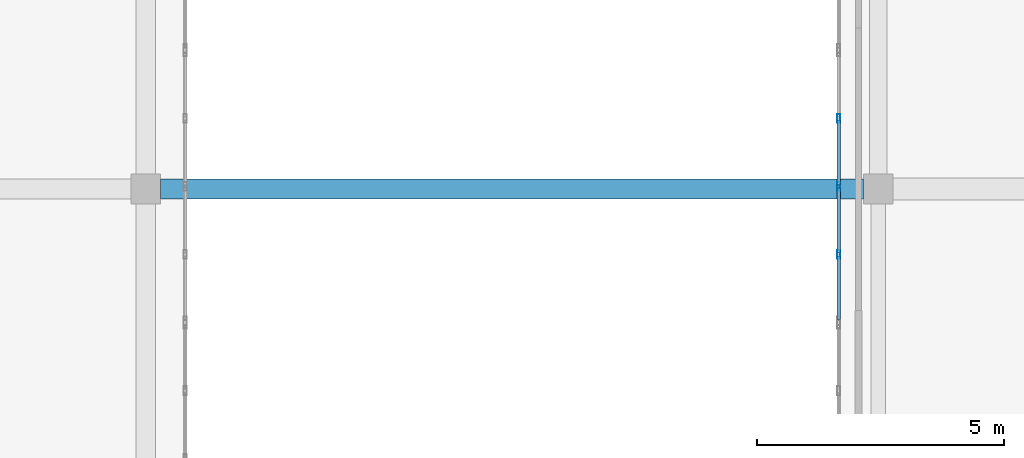
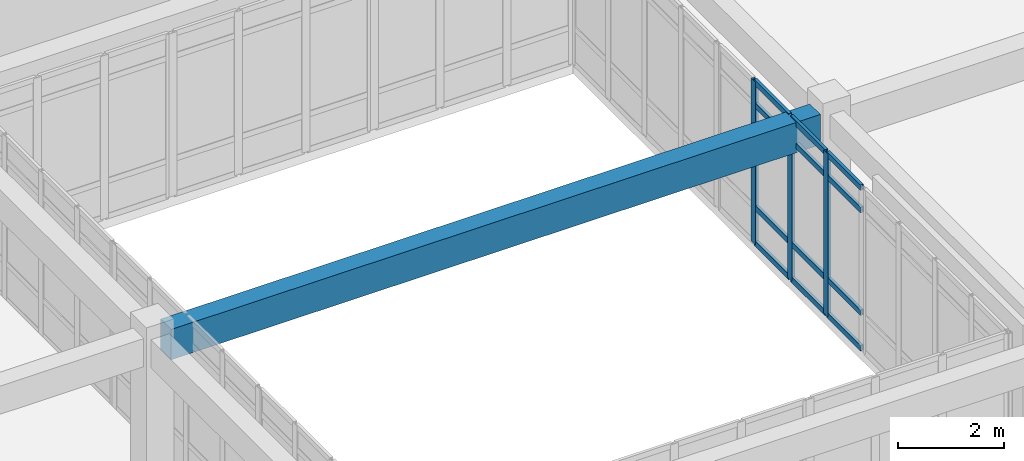
# One storey, part 50 of 91: 15 members, 1 beam, 1 element without a shape of its own.
"""IFC4 building model written with IfcOpenShell, lengths in metres."""

import ifcopenshell
import ifcopenshell.guid

model = None  # the IFC model being written
_history = None  # IfcOwnerHistory: only IFC2X3 demands one
_inside = {}  # id of a spatial element -> (the spatial element, [elements in it])
_under = {}  # id of a project, library or spatial element -> (it, [spatial elements below it])
_declared = {}  # id of a project -> (the project, [libraries it declares])
_typed = {}  # id of a type object -> (the type object, [elements of that type])
_made_of = {}  # id of a material, layer set ... -> (it, [elements and type objects made of it])


def new_model(schema):
    """Start an empty IFC model of exactly this schema.

    Asked for "IFC4X3", IfcOpenShell would pick the latest addendum, in which some entities
    have other attributes; the version numbers below select the first issue.
    IFC2X3 requires an IfcOwnerHistory on every rooted entity: one is made here for all.
    """
    global model, _history
    if schema == "IFC4X3":
        model = ifcopenshell.file(schema_version=(4, 3, 0, 0))
    else:
        model = ifcopenshell.file(schema=schema)
    _inside.clear()
    _under.clear()
    _declared.clear()
    _typed.clear()
    _made_of.clear()
    _history = None
    if model.schema == "IFC2X3":
        org = make("IfcOrganization", Name="unknown")
        user = make(
            "IfcPersonAndOrganization",
            ThePerson=make("IfcPerson", FamilyName="unknown"),
            TheOrganization=org,
        )
        app = make(
            "IfcApplication",
            ApplicationDeveloper=org,
            Version="unknown",
            ApplicationFullName="unknown",
            ApplicationIdentifier="unknown",
        )
        _history = make(
            "IfcOwnerHistory",
            OwningUser=user,
            OwningApplication=app,
            ChangeAction="ADDED",
            CreationDate=0,
        )
    return model


def make(cls, **values):
    """One entity of the class cls with the attributes given. An attribute that is None is left unset."""
    return model.create_entity(
        cls, **{name: value for name, value in values.items() if value is not None}
    )


def rooted(cls, **values):
    """An entity with a GlobalId (a new one), such as an element, a storey or a relation."""
    return make(cls, GlobalId=ifcopenshell.guid.new(), OwnerHistory=_history, **values)


def si_unit(unit_type, name, prefix=None):
    """IfcSIUnit, for example si_unit("LENGTHUNIT", "METRE", prefix="MILLI")."""
    return make("IfcSIUnit", UnitType=unit_type, Prefix=prefix, Name=name)


def assignment(units):
    """IfcUnitAssignment: the units of a project."""
    return None if units is None else make("IfcUnitAssignment", Units=units)


def point(xyz):
    """IfcCartesianPoint."""
    return None if xyz is None else make("IfcCartesianPoint", Coordinates=xyz)


def direction(xyz):
    """IfcDirection."""
    return None if xyz is None else make("IfcDirection", DirectionRatios=xyz)


def frame(location, z_axis=None, x_axis=None):
    """IfcAxis2Placement3D, a coordinate frame: its origin and axes. An axis left out is left unset."""
    return make(
        "IfcAxis2Placement3D",
        Location=point(location),
        Axis=direction(z_axis),
        RefDirection=direction(x_axis),
    )


def frame_2d(location, x_axis=None):
    """IfcAxis2Placement2D, a coordinate frame in the plane: its origin and x axis."""
    return make(
        "IfcAxis2Placement2D", Location=point(location), RefDirection=direction(x_axis)
    )


def origin():
    """The frame at (0, 0, 0) with its axes left unset."""
    return frame((0.0, 0.0, 0.0))


def origin_2d():
    """The frame at (0, 0) in the plane with its x axis left unset."""
    return frame_2d((0.0, 0.0))


def place(relative_to, where):
    """IfcLocalPlacement: puts the frame where relative to a parent placement (None: the world)."""
    return make(
        "IfcLocalPlacement", PlacementRelTo=relative_to, RelativePlacement=where
    )


def context(
    kind, dimensions, precision=None, world=None, true_north=None, identifier=None
):
    """IfcGeometricRepresentationContext, for example the 3D "Model" context."""
    return make(
        "IfcGeometricRepresentationContext",
        ContextIdentifier=identifier,
        ContextType=kind,
        CoordinateSpaceDimension=dimensions,
        Precision=precision,
        WorldCoordinateSystem=world,
        TrueNorth=true_north,
    )


def subcontext(parent, identifier, kind, view, scale=None):
    """IfcGeometricRepresentationSubContext, for example "Body" below "Model"."""
    return make(
        "IfcGeometricRepresentationSubContext",
        ContextIdentifier=identifier,
        ContextType=kind,
        ParentContext=parent,
        TargetScale=scale,
        TargetView=view,
    )


def project(units=None, contexts=None):
    """IfcProject with its units and contexts."""
    return rooted(
        "IfcProject",
        Name="project",
        RepresentationContexts=contexts,
        UnitsInContext=assignment(units),
    )


def spatial(cls, under=None, at=None, **own):
    """A site, building, storey or space (cls), placed at a placement, below another one or the project."""
    s = rooted(cls, ObjectPlacement=at, **own)
    if under is not None:
        _under.setdefault(under.id(), (under, []))[1].append(s)
    return s


def profile(cls, at=None, kind="AREA", **sizes):
    """A parametric profile (cls). Its sizes go by their IFC names, for example OverallWidth=200.0."""
    return make(cls, ProfileType=kind, Position=at, **sizes)


def rectangle(**sizes):
    """IfcRectangleProfileDef."""
    return profile("IfcRectangleProfileDef", **sizes)


def hollow_rectangle(**sizes):
    """IfcRectangleHollowProfileDef."""
    return profile("IfcRectangleHollowProfileDef", **sizes)


def extrude(swept, where, along, depth):
    """IfcExtrudedAreaSolid: the profile swept, set in the frame where, extruded along a direction by depth."""
    return make(
        "IfcExtrudedAreaSolid",
        SweptArea=swept,
        Position=where,
        ExtrudedDirection=direction(along),
        Depth=depth,
    )


def shape(context_of_items, identifier, shape_type, items):
    """IfcShapeRepresentation: the items that make up one representation, for example the "Body"."""
    return make(
        "IfcShapeRepresentation",
        ContextOfItems=context_of_items,
        RepresentationIdentifier=identifier,
        RepresentationType=shape_type,
        Items=items,
    )


def material(Name=None, Category=None):
    """IfcMaterial."""
    return make("IfcMaterial", Name=Name, Category=Category)


def layer(
    of_material, thickness, ventilated=None, Name=None, Category=None, Priority=None
):
    """IfcMaterialLayer: one layer of a wall or slab, of a material (None: an air gap)."""
    return make(
        "IfcMaterialLayer",
        Material=of_material,
        LayerThickness=thickness,
        IsVentilated=ventilated,
        Name=Name,
        Category=Category,
        Priority=Priority,
    )


def layer_set(layers, Name=None):
    """IfcMaterialLayerSet."""
    return make("IfcMaterialLayerSet", MaterialLayers=layers, LayerSetName=Name)


def material_profile(
    of_material, cross_section, Name=None, Category=None, Priority=None
):
    """IfcMaterialProfile: a cross section and its material."""
    return make(
        "IfcMaterialProfile",
        Name=Name,
        Material=of_material,
        Profile=cross_section,
        Priority=Priority,
        Category=Category,
    )


def profile_set(profiles, Name=None, composite=None):
    """IfcMaterialProfileSet."""
    return make(
        "IfcMaterialProfileSet",
        Name=Name,
        MaterialProfiles=profiles,
        CompositeProfile=composite,
    )


def made_of(thing, what):
    """Note that an element or type object is made of a material, layer set ...; save() writes the relation."""
    if what is not None:
        _made_of.setdefault(what.id(), (what, []))[1].append(thing)
    return thing


def type_object(cls, material=None, **own):
    """A type object (cls), such as IfcWallType, which elements share."""
    return made_of(rooted(cls, **own), material)


def element(
    cls,
    number,
    at=None,
    inside=None,
    cuts=None,
    type_object=None,
    material=None,
    context=None,
    identifier="Body",
    shape_type=None,
    held_by="IfcProductDefinitionShape",
    body=None,
    shapes=None,
    **own,
):
    """One element of the class cls, such as IfcWall. Its Tag is "e" and its number.

    at: its placement. inside: the storey or other place that contains it. cuts: it is an
    opening in that element (IfcRelVoidsElement). A single representation is given by context,
    identifier, shape_type and body (its items); several are given by shapes. held_by: the class
    of the entity that holds the representations. save() writes the other relations.
    """
    e = rooted(cls, Tag="e%d" % number, ObjectPlacement=at, **own)
    if body is not None:
        shapes = [shape(context, identifier, shape_type, body)]
    if shapes is not None:
        e.Representation = make(held_by, Representations=shapes)
    if inside is not None:
        _inside.setdefault(inside.id(), (inside, []))[1].append(e)
    if cuts is not None:
        rooted(
            "IfcRelVoidsElement", RelatingBuildingElement=cuts, RelatedOpeningElement=e
        )
    if type_object is not None:
        _typed.setdefault(type_object.id(), (type_object, []))[1].append(e)
    return made_of(e, material)


def aggregate(whole, parts):
    """IfcRelAggregates: a whole, such as a stair, and the parts it consists of."""
    return rooted("IfcRelAggregates", RelatingObject=whole, RelatedObjects=parts)


def save(model, path):
    """Write the relations noted so far, then the file.

    IfcRelAggregates (storeys below a building ...), IfcRelContainedInSpatialStructure (elements
    in a storey), IfcRelDefinesByType, IfcRelAssociatesMaterial and IfcRelDeclares: one each for
    every whole, place, type object, material and project.
    """
    for whole, parts in _under.values():
        aggregate(whole, parts)
    for where, things in _inside.values():
        rooted(
            "IfcRelContainedInSpatialStructure",
            RelatedElements=things,
            RelatingStructure=where,
        )
    for kind, things in _typed.values():
        rooted("IfcRelDefinesByType", RelatedObjects=things, RelatingType=kind)
    for what, things in _made_of.values():
        rooted("IfcRelAssociatesMaterial", RelatedObjects=things, RelatingMaterial=what)
    for by, libraries in _declared.values():
        rooted("IfcRelDeclares", RelatingContext=by, RelatedDefinitions=libraries)
    model.write(path)


model = new_model("IFC4")

# Units and contexts
model_context = context("Model", 3, precision=1e-05, world=origin(), true_north=direction((0.0, 1.0)))
body_context = subcontext(model_context, "Body", "Model", "MODEL_VIEW")
ifc_project = project(units=[si_unit("LENGTHUNIT", "METRE"), si_unit("AREAUNIT", "SQUARE_METRE"), si_unit("VOLUMEUNIT", "CUBIC_METRE"), si_unit("PLANEANGLEUNIT", "RADIAN"), si_unit("MASSUNIT", "GRAM", prefix="KILO")], contexts=[model_context])

# Site, building, storey
site_placement = place(None, origin())
site = spatial("IfcSite", under=ifc_project, at=site_placement, CompositionType="ELEMENT")
building_placement = place(site_placement, origin())
building = spatial("IfcBuilding", under=site, at=building_placement, Name="Valcora Specialist Clinic", CompositionType="ELEMENT")
storey_placement = place(building_placement, frame((0.0, 0.0, 13.60009765625)))
storey = spatial("IfcBuildingStorey", under=building, at=storey_placement, Name="L03", CompositionType="ELEMENT", Elevation=13.60009765625)

# Beam
ifc_material_1 = material(Name="Concrete C40/50", Category="concrete")
ifc_material_profile_1 = material_profile(ifc_material_1, rectangle(XDim=0.39990234375, YDim=0.699951171875, at=origin_2d()), Name="RC-BM-400X700")
ifc_profile_set_1 = profile_set([ifc_material_profile_1], Name="Concrete C40/50")
beam_type = type_object("IfcBeamType", Name="TY-BM-RC400X700", PredefinedType="BEAM", material=ifc_profile_set_1)
beam_placement = place(storey_placement, frame((76.300048828125, 90.199951171875, 3.4248046875), z_axis=(1.0, 0.0, 0.0), x_axis=(0.0, 1.0, 0.0)))
element("IfcBeam", 1, at=beam_placement, inside=storey, type_object=beam_type, Name="Beam BM-L03-0784", PredefinedType="BEAM", context=body_context, shape_type="SweptSolid", body=[
    extrude(rectangle(XDim=0.39990234375, YDim=0.699951171875, at=origin_2d()), origin(), (0.0, 0.0, 1.0), 14.199951171875),
])

# Curtain wall, members
ifc_material_2 = material(Name="Anodized Bronze Aluminium 6063-T6", Category="aluminium")
ifc_layer = layer(ifc_material_2, 0.175048828125)
ifc_layer_set = layer_set([ifc_layer], Name="Anodized Bronze Aluminium 6063-T6")
curtain_wall_type = type_object("IfcCurtainWallType", Name="TY-CW-CRT15", PredefinedType="NOTDEFINED", material=ifc_layer_set)
curtain_wall_placement = place(storey_placement, origin())
curtain_wall = element("IfcCurtainWall", 2, at=curtain_wall_placement, inside=storey, type_object=curtain_wall_type, Name="Curtain wall CW-L03-129", PredefinedType="NOTDEFINED")
ifc_material_profile_2 = material_profile(ifc_material_2, hollow_rectangle(XDim=0.06494140625, YDim=0.175048828125, WallThickness=0.00390625, at=origin_2d()), Name="AL-MUL-65X175")
ifc_profile_set_2 = profile_set([ifc_material_profile_2], Name="Anodized Bronze Aluminium 6063-T6")
member_type_1 = type_object("IfcMemberType", Name="TY-CWM-65X175", PredefinedType="MULLION", material=ifc_profile_set_2)
member_1_placement = place(storey_placement, frame((90.0, 88.875, 0.0), z_axis=(0.0, 0.0, 1.0), x_axis=(-1.0, 0.0, 0.0)))
member_1 = element("IfcMember", 3, at=member_1_placement, type_object=member_type_1, Name="CW-CRT-15 mullion 2", PredefinedType="MULLION", context=body_context, shape_type="SweptSolid", body=[
    extrude(hollow_rectangle(XDim=0.06494140625, YDim=0.175048828125, WallThickness=0.00390625, at=origin_2d()), origin(), (0.0, 0.0, 1.0), 3.77490234375),
])
member_2_placement = place(storey_placement, frame((90.0, 90.25, 0.0), z_axis=(0.0, 0.0, 1.0), x_axis=(-1.0, 0.0, 0.0)))
member_2 = element("IfcMember", 4, at=member_2_placement, type_object=member_type_1, Name="CW-CRT-15 mullion 3", PredefinedType="MULLION", context=body_context, shape_type="SweptSolid", body=[
    extrude(hollow_rectangle(XDim=0.06494140625, YDim=0.175048828125, WallThickness=0.00390625, at=origin_2d()), origin(), (0.0, 0.0, 1.0), 3.77490234375),
])
member_3_placement = place(storey_placement, frame((90.0, 91.625, 0.0), z_axis=(0.0, 0.0, 1.0), x_axis=(-1.0, 0.0, 0.0)))
member_3 = element("IfcMember", 5, at=member_3_placement, type_object=member_type_1, Name="CW-CRT-15 mullion 4", PredefinedType="MULLION", context=body_context, shape_type="SweptSolid", body=[
    extrude(hollow_rectangle(XDim=0.06494140625, YDim=0.175048828125, WallThickness=0.00390625, at=origin_2d()), origin(), (0.0, 0.0, 1.0), 3.77490234375),
])
ifc_material_profile_3 = material_profile(ifc_material_2, hollow_rectangle(XDim=0.06494140625, YDim=0.1298828125, WallThickness=0.00390625, at=origin_2d()), Name="AL-TRN-65X130")
ifc_profile_set_3 = profile_set([ifc_material_profile_3], Name="Anodized Bronze Aluminium 6063-T6")
member_type_2 = type_object("IfcMemberType", Name="TY-CWT-65X130", PredefinedType="USERDEFINED", material=ifc_profile_set_3)
member_4_placement = place(storey_placement, frame((90.0, 87.56494140625, 0.032470703125), z_axis=(0.0, 1.0, 0.0), x_axis=(-1.0, 0.0, 0.0)))
member_4 = element("IfcMember", 6, at=member_4_placement, type_object=member_type_2, Name="CW-CRT-15 transom 1.1", ObjectType="TRANSOM", PredefinedType="USERDEFINED", context=body_context, shape_type="SweptSolid", body=[
    extrude(hollow_rectangle(XDim=0.06494140625, YDim=0.1298828125, WallThickness=0.00390625, at=origin_2d()), origin(), (0.0, 0.0, 1.0), 1.277587890625),
])
member_5_placement = place(storey_placement, frame((90.0, 87.56494140625, 0.849853515625), z_axis=(0.0, 1.0, 0.0), x_axis=(-1.0, 0.0, 0.0)))
member_5 = element("IfcMember", 7, at=member_5_placement, type_object=member_type_2, Name="CW-CRT-15 transom 1.2", ObjectType="TRANSOM", PredefinedType="USERDEFINED", context=body_context, shape_type="SweptSolid", body=[
    extrude(hollow_rectangle(XDim=0.06494140625, YDim=0.1298828125, WallThickness=0.00390625, at=origin_2d()), origin(), (0.0, 0.0, 1.0), 1.277587890625),
])
member_6_placement = place(storey_placement, frame((90.0, 87.56494140625, 3.224853515625), z_axis=(0.0, 1.0, 0.0), x_axis=(-1.0, 0.0, 0.0)))
member_6 = element("IfcMember", 8, at=member_6_placement, type_object=member_type_2, Name="CW-CRT-15 transom 1.3", ObjectType="TRANSOM", PredefinedType="USERDEFINED", context=body_context, shape_type="SweptSolid", body=[
    extrude(hollow_rectangle(XDim=0.06494140625, YDim=0.1298828125, WallThickness=0.00390625, at=origin_2d()), origin(), (0.0, 0.0, 1.0), 1.277587890625),
])
member_7_placement = place(storey_placement, frame((90.0, 87.56494140625, 3.742431640625), z_axis=(0.0, 1.0, 0.0), x_axis=(-1.0, 0.0, 0.0)))
member_7 = element("IfcMember", 9, at=member_7_placement, type_object=member_type_2, Name="CW-CRT-15 transom 1.4", ObjectType="TRANSOM", PredefinedType="USERDEFINED", context=body_context, shape_type="SweptSolid", body=[
    extrude(hollow_rectangle(XDim=0.06494140625, YDim=0.1298828125, WallThickness=0.00390625, at=origin_2d()), origin(), (0.0, 0.0, 1.0), 1.277587890625),
])
member_8_placement = place(storey_placement, frame((90.0, 88.907470703125, 0.032470703125), z_axis=(0.0, 1.0, 0.0), x_axis=(-1.0, 0.0, 0.0)))
member_8 = element("IfcMember", 10, at=member_8_placement, type_object=member_type_2, Name="CW-CRT-15 transom 2.1", ObjectType="TRANSOM", PredefinedType="USERDEFINED", context=body_context, shape_type="SweptSolid", body=[
    extrude(hollow_rectangle(XDim=0.06494140625, YDim=0.1298828125, WallThickness=0.00390625, at=origin_2d()), origin(), (0.0, 0.0, 1.0), 1.31005859375),
])
member_9_placement = place(storey_placement, frame((90.0, 88.907470703125, 0.849853515625), z_axis=(0.0, 1.0, 0.0), x_axis=(-1.0, 0.0, 0.0)))
member_9 = element("IfcMember", 11, at=member_9_placement, type_object=member_type_2, Name="CW-CRT-15 transom 2.2", ObjectType="TRANSOM", PredefinedType="USERDEFINED", context=body_context, shape_type="SweptSolid", body=[
    extrude(hollow_rectangle(XDim=0.06494140625, YDim=0.1298828125, WallThickness=0.00390625, at=origin_2d()), origin(), (0.0, 0.0, 1.0), 1.31005859375),
])
member_10_placement = place(storey_placement, frame((90.0, 88.907470703125, 3.224853515625), z_axis=(0.0, 1.0, 0.0), x_axis=(-1.0, 0.0, 0.0)))
member_10 = element("IfcMember", 12, at=member_10_placement, type_object=member_type_2, Name="CW-CRT-15 transom 2.3", ObjectType="TRANSOM", PredefinedType="USERDEFINED", context=body_context, shape_type="SweptSolid", body=[
    extrude(hollow_rectangle(XDim=0.06494140625, YDim=0.1298828125, WallThickness=0.00390625, at=origin_2d()), origin(), (0.0, 0.0, 1.0), 1.31005859375),
])
member_11_placement = place(storey_placement, frame((90.0, 88.907470703125, 3.742431640625), z_axis=(0.0, 1.0, 0.0), x_axis=(-1.0, 0.0, 0.0)))
member_11 = element("IfcMember", 13, at=member_11_placement, type_object=member_type_2, Name="CW-CRT-15 transom 2.4", ObjectType="TRANSOM", PredefinedType="USERDEFINED", context=body_context, shape_type="SweptSolid", body=[
    extrude(hollow_rectangle(XDim=0.06494140625, YDim=0.1298828125, WallThickness=0.00390625, at=origin_2d()), origin(), (0.0, 0.0, 1.0), 1.31005859375),
])
member_12_placement = place(storey_placement, frame((90.0, 90.282470703125, 0.032470703125), z_axis=(0.0, 1.0, 0.0), x_axis=(-1.0, 0.0, 0.0)))
member_12 = element("IfcMember", 14, at=member_12_placement, type_object=member_type_2, Name="CW-CRT-15 transom 3.1", ObjectType="TRANSOM", PredefinedType="USERDEFINED", context=body_context, shape_type="SweptSolid", body=[
    extrude(hollow_rectangle(XDim=0.06494140625, YDim=0.1298828125, WallThickness=0.00390625, at=origin_2d()), origin(), (0.0, 0.0, 1.0), 1.31005859375),
])
member_13_placement = place(storey_placement, frame((90.0, 90.282470703125, 0.849853515625), z_axis=(0.0, 1.0, 0.0), x_axis=(-1.0, 0.0, 0.0)))
member_13 = element("IfcMember", 15, at=member_13_placement, type_object=member_type_2, Name="CW-CRT-15 transom 3.2", ObjectType="TRANSOM", PredefinedType="USERDEFINED", context=body_context, shape_type="SweptSolid", body=[
    extrude(hollow_rectangle(XDim=0.06494140625, YDim=0.1298828125, WallThickness=0.00390625, at=origin_2d()), origin(), (0.0, 0.0, 1.0), 1.31005859375),
])
member_14_placement = place(storey_placement, frame((90.0, 90.282470703125, 3.224853515625), z_axis=(0.0, 1.0, 0.0), x_axis=(-1.0, 0.0, 0.0)))
member_14 = element("IfcMember", 16, at=member_14_placement, type_object=member_type_2, Name="CW-CRT-15 transom 3.3", ObjectType="TRANSOM", PredefinedType="USERDEFINED", context=body_context, shape_type="SweptSolid", body=[
    extrude(hollow_rectangle(XDim=0.06494140625, YDim=0.1298828125, WallThickness=0.00390625, at=origin_2d()), origin(), (0.0, 0.0, 1.0), 1.31005859375),
])
member_15_placement = place(storey_placement, frame((90.0, 90.282470703125, 3.742431640625), z_axis=(0.0, 1.0, 0.0), x_axis=(-1.0, 0.0, 0.0)))
member_15 = element("IfcMember", 17, at=member_15_placement, type_object=member_type_2, Name="CW-CRT-15 transom 3.4", ObjectType="TRANSOM", PredefinedType="USERDEFINED", context=body_context, shape_type="SweptSolid", body=[
    extrude(hollow_rectangle(XDim=0.06494140625, YDim=0.1298828125, WallThickness=0.00390625, at=origin_2d()), origin(), (0.0, 0.0, 1.0), 1.31005859375),
])
aggregate(curtain_wall, [member_1, member_2, member_3, member_4, member_5, member_6, member_7, member_8, member_9, member_10, member_11, member_12, member_13, member_14, member_15])

save(model, "model.ifc")
